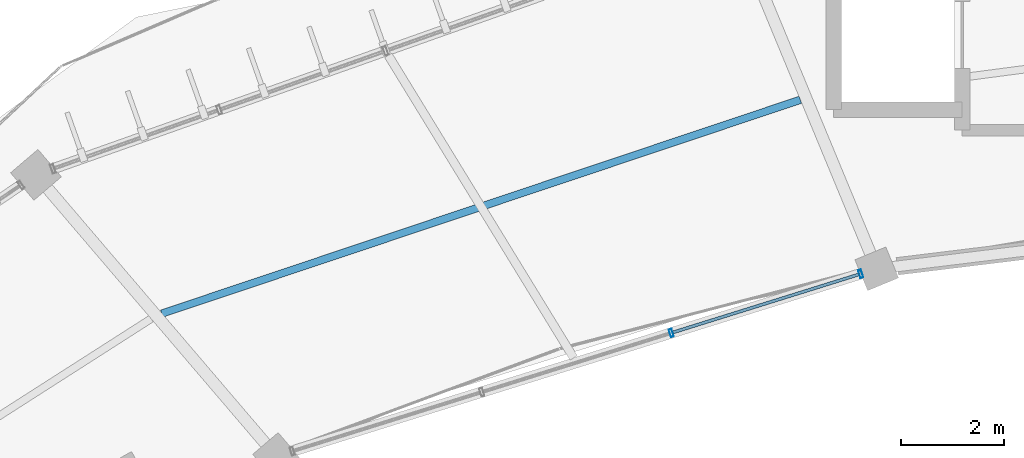
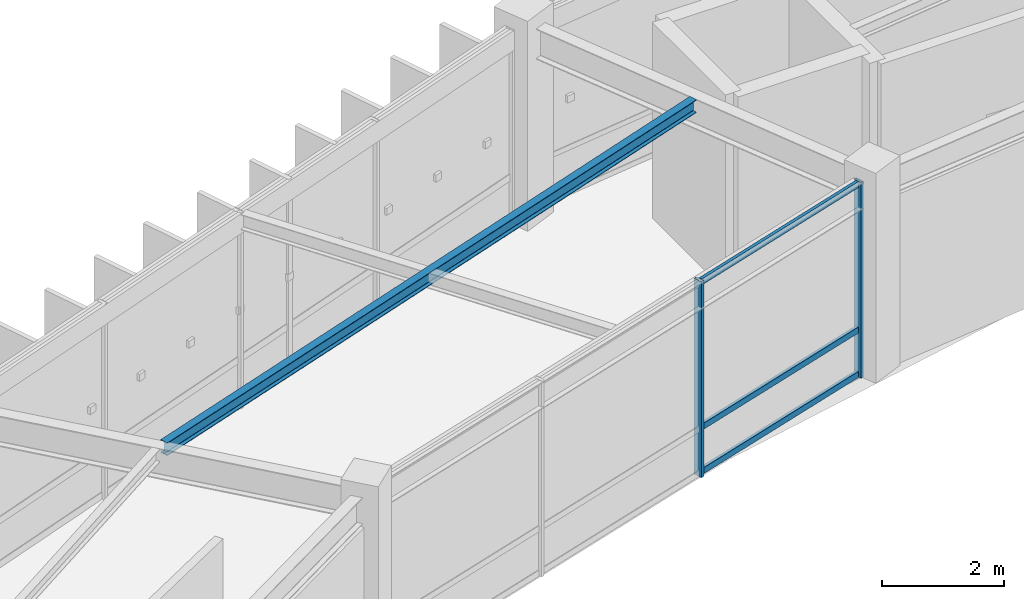
# One storey, part 62 of 138: 5 members, 1 beam, 1 element without a shape of its own.
"""IFC4 building model written with IfcOpenShell, lengths in metres."""

from ifc_helpers import new_model, si_unit, direction, frame, origin, origin_2d, place, context, subcontext, project, spatial, hollow_rectangle, i_section, extrude, material, material_profile, profile_set, type_object, element, aggregate, save


model = new_model("IFC4")

# Units and contexts
model_context = context("Model", 3, precision=1e-05, world=origin(), true_north=direction((0.0, 1.0)))
body_context = subcontext(model_context, "Body", "Model", "MODEL_VIEW")
ifc_project = project(units=[si_unit("LENGTHUNIT", "METRE"), si_unit("AREAUNIT", "SQUARE_METRE"), si_unit("VOLUMEUNIT", "CUBIC_METRE"), si_unit("PLANEANGLEUNIT", "RADIAN"), si_unit("MASSUNIT", "GRAM", prefix="KILO"), si_unit("THERMODYNAMICTEMPERATUREUNIT", "KELVIN"), si_unit("POWERUNIT", "WATT")], contexts=[model_context])

# Site, building, storey
site_placement = place(None, origin())
site = spatial("IfcSite", under=ifc_project, at=site_placement, CompositionType="ELEMENT")
building_placement = place(site_placement, origin())
building = spatial("IfcBuilding", under=site, at=building_placement, Name="Darbajah Civic Hall", CompositionType="ELEMENT")
storey_placement = place(building_placement, frame((0.0, 0.0, 9.60009765625)))
storey = spatial("IfcBuildingStorey", under=building, at=storey_placement, Name="L02", CompositionType="ELEMENT", Elevation=9.60009765625)

# Curtain wall, members
ifc_material_1 = material(Name="Anodised Bronze Aluminium and Low-E Glazing", Category="aluminium")
curtain_wall_type = type_object("IfcCurtainWallType", Name="Unitised Curtain Wall CW-43 11600x3900", PredefinedType="USERDEFINED", material=ifc_material_1)
curtain_wall_placement = place(storey_placement, origin())
curtain_wall = element("IfcCurtainWall", 1, at=curtain_wall_placement, inside=storey, type_object=curtain_wall_type, Name="L02 unitised curtain wall CW-V1I-L02-06", ObjectType="UNITISED CURTAIN WALL", PredefinedType="USERDEFINED")
ifc_material_2 = material(Name="Anodised Bronze Aluminium", Category="aluminium")
ifc_material_profile_1 = material_profile(ifc_material_2, hollow_rectangle(XDim=0.06005859375, YDim=0.159912109375, WallThickness=0.00341796875, at=origin_2d()), Name="ALU MULLION 60x160")
ifc_profile_set_1 = profile_set([ifc_material_profile_1], Name="Anodised Bronze Aluminium")
member_type_1 = type_object("IfcMemberType", Name="ALU MULLION 60x160", PredefinedType="MULLION", material=ifc_profile_set_1)
member_1_placement = place(storey_placement, frame((72.0263671875, 110.30517578125, 0.0), z_axis=(0.0, 0.0, 1.0), x_axis=(-0.954604963513, -0.297874744877, 0.0)))
member_1 = element("IfcMember", 2, at=member_1_placement, type_object=member_type_1, Name="CW-V1I-L02-06 mullion 1", PredefinedType="MULLION", context=body_context, shape_type="SweptSolid", body=[
    extrude(hollow_rectangle(XDim=0.06005859375, YDim=0.159912109375, WallThickness=0.00341796875, at=origin_2d()), origin(), (0.0, 0.0, 1.0), 3.919921875),
])
member_2_placement = place(storey_placement, frame((68.339599609375, 109.15478515625, 0.0), z_axis=(0.0, 0.0, 1.0), x_axis=(-0.954604963513, -0.297874744877, 0.0)))
member_2 = element("IfcMember", 3, at=member_2_placement, type_object=member_type_1, Name="CW-V1I-L02-06 mullion 2", PredefinedType="MULLION", context=body_context, shape_type="SweptSolid", body=[
    extrude(hollow_rectangle(XDim=0.06005859375, YDim=0.159912109375, WallThickness=0.00341796875, at=origin_2d()), origin(), (0.0, 0.0, 1.0), 3.919921875),
])
ifc_material_profile_2 = material_profile(ifc_material_2, hollow_rectangle(XDim=0.06005859375, YDim=0.1201171875, WallThickness=0.003173828125, at=origin_2d()), Name="ALU TRANSOM 60x120")
ifc_profile_set_2 = profile_set([ifc_material_profile_2], Name="Anodised Bronze Aluminium")
member_type_2 = type_object("IfcMemberType", Name="ALU TRANSOM 60x120", PredefinedType="USERDEFINED", material=ifc_profile_set_2)
member_3_placement = place(storey_placement, frame((71.992919921875, 110.294677734375, 0.059814453125), z_axis=(-0.954616206684, -0.297838711278, 0.0), x_axis=(0.297838711278, -0.954616206684, 0.0)))
member_3 = element("IfcMember", 4, at=member_3_placement, type_object=member_type_2, Name="CW-V1I-L02-06 transom 1.1", ObjectType="TRANSOM", PredefinedType="USERDEFINED", context=body_context, shape_type="SweptSolid", body=[
    extrude(hollow_rectangle(XDim=0.06005859375, YDim=0.1201171875, WallThickness=0.003173828125, at=origin_2d()), origin(), (0.0, 0.0, 1.0), 3.7919921875),
])
member_4_placement = place(storey_placement, frame((71.992919921875, 110.294677734375, 0.949951171875), z_axis=(-0.954616206684, -0.297838711278, 0.0), x_axis=(0.297838711278, -0.954616206684, 0.0)))
member_4 = element("IfcMember", 5, at=member_4_placement, type_object=member_type_2, Name="CW-V1I-L02-06 transom 1.2", ObjectType="TRANSOM", PredefinedType="USERDEFINED", context=body_context, shape_type="SweptSolid", body=[
    extrude(hollow_rectangle(XDim=0.06005859375, YDim=0.1201171875, WallThickness=0.003173828125, at=origin_2d()), origin(), (0.0, 0.0, 1.0), 3.7919921875),
])
member_5_placement = place(storey_placement, frame((71.992919921875, 110.294677734375, 3.85986328125), z_axis=(-0.954616206684, -0.297838711278, 0.0), x_axis=(0.297838711278, -0.954616206684, 0.0)))
member_5 = element("IfcMember", 6, at=member_5_placement, type_object=member_type_2, Name="CW-V1I-L02-06 transom 1.3", ObjectType="TRANSOM", PredefinedType="USERDEFINED", context=body_context, shape_type="SweptSolid", body=[
    extrude(hollow_rectangle(XDim=0.06005859375, YDim=0.1201171875, WallThickness=0.003173828125, at=origin_2d()), origin(), (0.0, 0.0, 1.0), 3.7919921875),
])
aggregate(curtain_wall, [member_1, member_2, member_3, member_4, member_5])

# Beam
ifc_material_3 = material(Name="Steel S355JR", Category="steel")
ifc_material_profile_3 = material_profile(ifc_material_3, i_section(OverallWidth=0.146484375, OverallDepth=0.256103515625, WebThickness=0.00634765625, FlangeThickness=0.010986328125, FilletRadius=0.007568359375, at=origin_2d()), Name="UB 254x146x37")
ifc_profile_set_3 = profile_set([ifc_material_profile_3], Name="Steel S355JR")
beam_type = type_object("IfcBeamType", Name="UB 254x146x37", PredefinedType="JOIST", material=ifc_profile_set_3)
beam_placement = place(storey_placement, frame((70.850830078125, 113.691650390625, 3.7919921875), z_axis=(-0.948257615403, -0.317501960357, 0.0), x_axis=(0.317501960357, -0.948257615403, 0.0)))
element("IfcBeam", 7, at=beam_placement, inside=storey, type_object=beam_type, Name="L02 beam SJ-254", PredefinedType="JOIST", context=body_context, shape_type="SweptSolid", body=[
    extrude(i_section(OverallWidth=0.146484375, OverallDepth=0.256103515625, WebThickness=0.00634765625, FlangeThickness=0.010986328125, FilletRadius=0.007568359375, at=origin_2d()), origin(), (0.0, 0.0, 1.0), 13.102783203125),
])

save(model, "model.ifc")
